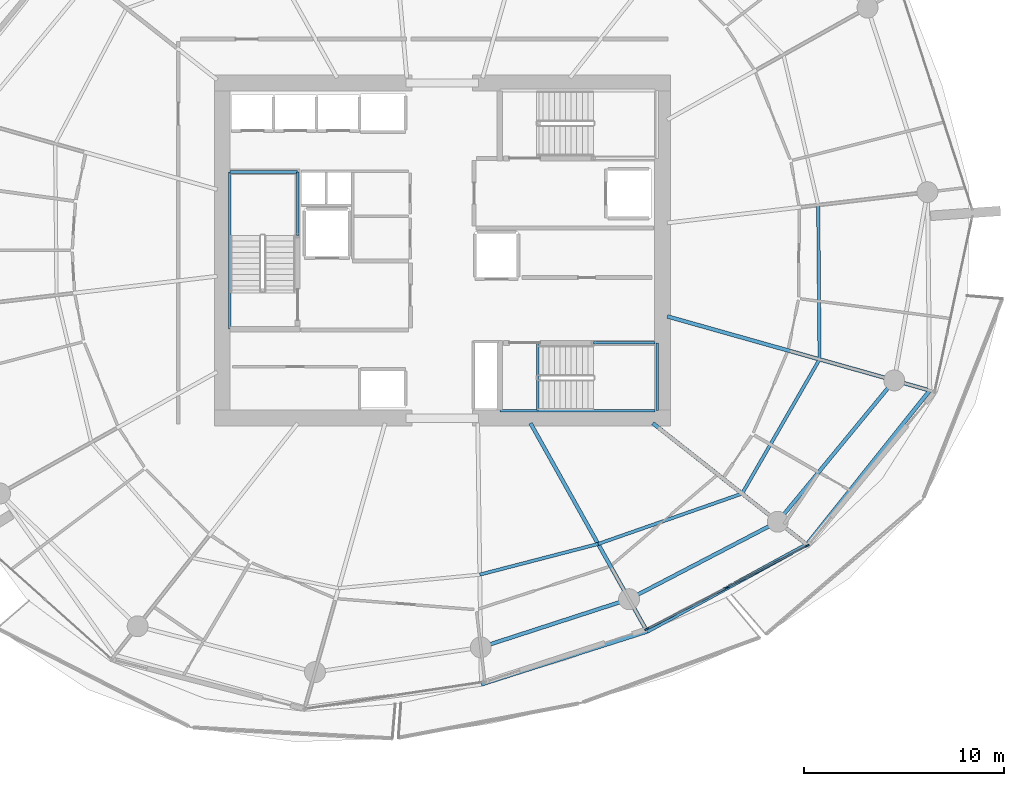
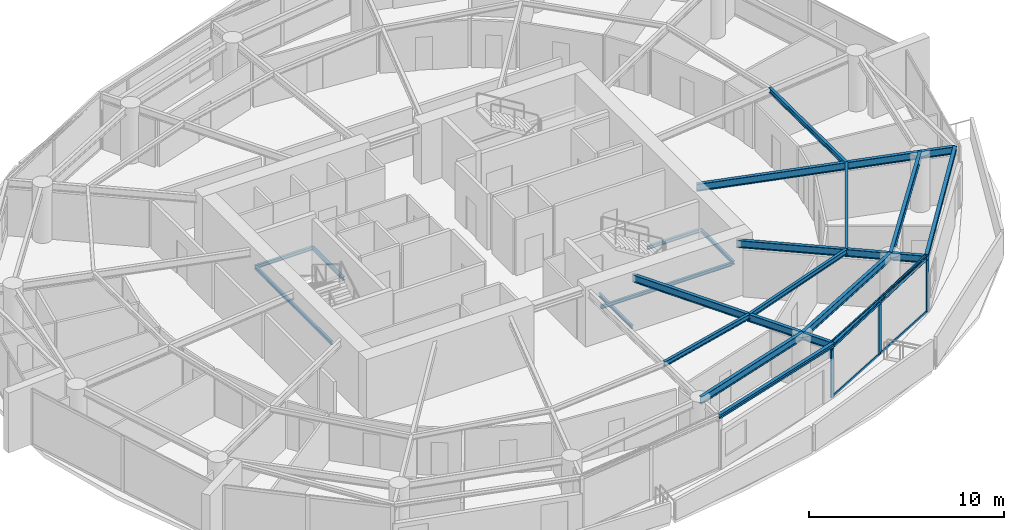
# One storey, part 6 of 20: 20 beams, 7 members, 1 element without a shape of its own.
"""IFC4 building model written with IfcOpenShell, lengths in metres."""

from ifc_helpers import new_model, si_unit, direction, frame, origin, origin_2d, place, context, subcontext, project, spatial, rectangle, i_section, extrude, material, layer, layer_set, material_profile, profile_set, type_object, element, aggregate, save


model = new_model("IFC4")

# Units and contexts
model_context = context("Model", 3, precision=1e-05, world=origin(), true_north=direction((0.0, 1.0)))
body_context = subcontext(model_context, "Body", "Model", "MODEL_VIEW")
ifc_project = project(units=[si_unit("LENGTHUNIT", "METRE"), si_unit("AREAUNIT", "SQUARE_METRE"), si_unit("VOLUMEUNIT", "CUBIC_METRE"), si_unit("PLANEANGLEUNIT", "RADIAN"), si_unit("MASSUNIT", "GRAM", prefix="KILO")], contexts=[model_context])

# Site, building, storey
site_placement = place(None, origin())
site = spatial("IfcSite", under=ifc_project, at=site_placement, CompositionType="ELEMENT")
building_placement = place(site_placement, origin())
building = spatial("IfcBuilding", under=site, at=building_placement, Name="Kazma Halo Residences", CompositionType="ELEMENT")
storey_placement = place(building_placement, frame((0.0, 0.0, 131.550048828125)))
storey = spatial("IfcBuildingStorey", under=building, at=storey_placement, Name="L32", CompositionType="ELEMENT", Elevation=131.550048828125)

# Beams
ifc_material_1 = material(Name="Steel S355", Category="steel")
ifc_material_profile_1 = material_profile(ifc_material_1, i_section(OverallWidth=0.201904296875, OverallDepth=0.2470703125, WebThickness=0.00732421875, FlangeThickness=0.010986328125, FilletRadius=0.011962890625, at=origin_2d()), Name="W250x49.1")
ifc_profile_set_1 = profile_set([ifc_material_profile_1], Name="Steel S355")
beam_type_1 = type_object("IfcBeamType", Name="BM-BAL-CANT", PredefinedType="BEAM", material=ifc_profile_set_1)
beam_1_placement = place(storey_placement, frame((50.37841796875, 20.269287109375, 3.37646484375), z_axis=(0.952724066304, 0.303836886315, 0.0), x_axis=(-0.303836886315, 0.952724066304, 0.0)))
element("IfcBeam", 1, at=beam_1_placement, inside=storey, type_object=beam_type_1, Name="L32 wave-balcony tie beam 12", PredefinedType="BEAM", context=body_context, shape_type="SweptSolid", body=[
    extrude(i_section(OverallWidth=0.201904296875, OverallDepth=0.2470703125, WebThickness=0.00732421875, FlangeThickness=0.010986328125, FilletRadius=0.011962890625, at=origin_2d()), origin(), (0.0, 0.0, 1.0), 8.719970703125),
])
beam_2_placement = place(storey_placement, frame((58.68603515625, 22.918701171875, 3.37646484375), z_axis=(0.878572913315, 0.477608245312, 0.0), x_axis=(-0.477608245312, 0.878572913315, 0.0)))
element("IfcBeam", 2, at=beam_2_placement, inside=storey, type_object=beam_type_1, Name="L32 wave-balcony tie beam 13", PredefinedType="BEAM", context=body_context, shape_type="SweptSolid", body=[
    extrude(i_section(OverallWidth=0.201904296875, OverallDepth=0.2470703125, WebThickness=0.00732421875, FlangeThickness=0.010986328125, FilletRadius=0.011962890625, at=origin_2d()), origin(), (0.0, 0.0, 1.0), 9.107177734375),
])
beam_3_placement = place(storey_placement, frame((66.687255859375, 27.268310546875, 3.37646484375), z_axis=(0.623742400336, 0.781629975131, 0.0), x_axis=(-0.781629975131, 0.623742400336, 0.0)))
element("IfcBeam", 3, at=beam_3_placement, inside=storey, type_object=beam_type_1, Name="L32 wave-balcony tie beam 14", PredefinedType="BEAM", context=body_context, shape_type="SweptSolid", body=[
    extrude(i_section(OverallWidth=0.201904296875, OverallDepth=0.2470703125, WebThickness=0.00732421875, FlangeThickness=0.010986328125, FilletRadius=0.011962890625, at=origin_2d()), origin(), (0.0, 0.0, 1.0), 9.880859375),
])
ifc_material_profile_2 = material_profile(ifc_material_1, i_section(OverallWidth=0.18994140625, OverallDepth=0.45703125, WebThickness=0.009033203125, FlangeThickness=0.014404296875, FilletRadius=0.01611328125, at=origin_2d()), Name="W460x74")
ifc_profile_set_2 = profile_set([ifc_material_profile_2], Name="Steel S355")
beam_type_2 = type_object("IfcBeamType", Name="BM-RAD-W460", PredefinedType="BEAM", material=ifc_profile_set_2)
beam_4_placement = place(storey_placement, frame((52.84423828125, 33.35009765625, 3.271484375), z_axis=(0.488617048735, -0.872498355119, 0.0), x_axis=(0.872498355119, 0.488617048735, 0.0)))
element("IfcBeam", 4, at=beam_4_placement, inside=storey, type_object=beam_type_2, Name="L32 radial floor beam 13", PredefinedType="BEAM", context=body_context, shape_type="SweptSolid", body=[
    extrude(i_section(OverallWidth=0.18994140625, OverallDepth=0.45703125, WebThickness=0.009033203125, FlangeThickness=0.014404296875, FilletRadius=0.01611328125, at=origin_2d()), origin(), (0.0, 0.0, 1.0), 11.955810546875),
])
beam_5_placement = place(storey_placement, frame((58.972412109375, 33.35009765625, 3.271484375), z_axis=(0.785322142498, -0.619087338347, 0.0), x_axis=(0.619087338347, 0.785322142498, 0.0)))
element("IfcBeam", 5, at=beam_5_placement, inside=storey, type_object=beam_type_2, Name="L32 radial floor beam 14", PredefinedType="BEAM", context=body_context, shape_type="SweptSolid", body=[
    extrude(i_section(OverallWidth=0.18994140625, OverallDepth=0.45703125, WebThickness=0.009033203125, FlangeThickness=0.014404296875, FilletRadius=0.01611328125, at=origin_2d()), origin(), (0.0, 0.0, 1.0), 9.82373046875),
])
beam_6_placement = place(storey_placement, frame((59.699951171875, 38.7001953125, 3.271484375), z_axis=(0.962456259321, -0.271436823024, 0.0), x_axis=(0.271436823024, 0.962456259321, 0.0)))
element("IfcBeam", 6, at=beam_6_placement, inside=storey, type_object=beam_type_2, Name="L32 radial floor beam 15", PredefinedType="BEAM", context=body_context, shape_type="SweptSolid", body=[
    extrude(i_section(OverallWidth=0.18994140625, OverallDepth=0.45703125, WebThickness=0.009033203125, FlangeThickness=0.014404296875, FilletRadius=0.01611328125, at=origin_2d()), origin(), (0.0, 0.0, 1.0), 13.663330078125),
])
ifc_material_profile_3 = material_profile(ifc_material_1, i_section(OverallWidth=0.1650390625, OverallDepth=0.31005859375, WebThickness=0.005859375, FlangeThickness=0.009765625, FilletRadius=0.011962890625, at=origin_2d()), Name="W310x38.7")
ifc_profile_set_3 = profile_set([ifc_material_profile_3], Name="Steel S355")
beam_type_3 = type_object("IfcBeamType", Name="BM-SEC-W310B", PredefinedType="JOIST", material=ifc_profile_set_3)
beam_7_placement = place(storey_placement, frame((50.303466796875, 25.76318359375, 3.344970703125), z_axis=(0.968017337658, 0.250883307524, 0.0), x_axis=(-0.250883307524, 0.968017337658, 0.0)))
element("IfcBeam", 7, at=beam_7_placement, inside=storey, type_object=beam_type_3, Name="L32 circumferential floor joist 12", PredefinedType="JOIST", context=body_context, shape_type="SweptSolid", body=[
    extrude(i_section(OverallWidth=0.1650390625, OverallDepth=0.31005859375, WebThickness=0.005859375, FlangeThickness=0.009765625, FilletRadius=0.011962890625, at=origin_2d()), origin(), (0.0, 0.0, 1.0), 6.124755859375),
])
beam_8_placement = place(storey_placement, frame((56.232421875, 27.2998046875, 3.344970703125), z_axis=(0.943956421223, 0.330070105935, 0.0), x_axis=(-0.330070105935, 0.943956421223, 0.0)))
element("IfcBeam", 8, at=beam_8_placement, inside=storey, type_object=beam_type_3, Name="L32 circumferential floor joist 13", PredefinedType="JOIST", context=body_context, shape_type="SweptSolid", body=[
    extrude(i_section(OverallWidth=0.1650390625, OverallDepth=0.31005859375, WebThickness=0.005859375, FlangeThickness=0.009765625, FilletRadius=0.011962890625, at=origin_2d()), origin(), (0.0, 0.0, 1.0), 7.642822265625),
])
beam_9_placement = place(storey_placement, frame((63.447021484375, 29.822509765625, 3.344970703125), z_axis=(0.499666203496, 0.866218035533, 0.0), x_axis=(-0.866218035533, 0.499666203496, 0.0)))
element("IfcBeam", 9, at=beam_9_placement, inside=storey, type_object=beam_type_3, Name="L32 circumferential floor joist 14", PredefinedType="JOIST", context=body_context, shape_type="SweptSolid", body=[
    extrude(i_section(OverallWidth=0.1650390625, OverallDepth=0.31005859375, WebThickness=0.005859375, FlangeThickness=0.009765625, FilletRadius=0.011962890625, at=origin_2d()), origin(), (0.0, 0.0, 1.0), 7.765380859375),
])
beam_10_placement = place(storey_placement, frame((67.3271484375, 36.549072265625, 3.344970703125), z_axis=(-0.008779348348, 0.999961460779, 0.0), x_axis=(-0.999961460779, -0.008779348348, 0.0)))
element("IfcBeam", 10, at=beam_10_placement, inside=storey, type_object=beam_type_3, Name="L32 circumferential floor joist 15", PredefinedType="JOIST", context=body_context, shape_type="SweptSolid", body=[
    extrude(i_section(OverallWidth=0.1650390625, OverallDepth=0.31005859375, WebThickness=0.005859375, FlangeThickness=0.009765625, FilletRadius=0.011962890625, at=origin_2d()), origin(), (0.0, 0.0, 1.0), 7.730712890625),
])
ifc_material_profile_4 = material_profile(ifc_material_1, i_section(OverallWidth=0.18994140625, OverallDepth=0.45703125, WebThickness=0.009033203125, FlangeThickness=0.014404296875, FilletRadius=0.01611328125, at=origin_2d()), Name="W460x74")
ifc_profile_set_4 = profile_set([ifc_material_profile_4], Name="Steel S355")
beam_type_4 = type_object("IfcBeamType", Name="BM-SPN-W460", PredefinedType="BEAM", material=ifc_profile_set_4)
beam_11_placement = place(storey_placement, frame((50.35302734375, 22.118896484375, 3.271484375), z_axis=(0.95105634578, 0.309017519167, 0.0), x_axis=(-0.309017519167, 0.95105634578, 0.0)))
element("IfcBeam", 11, at=beam_11_placement, inside=storey, type_object=beam_type_4, Name="L32 perimeter ring beam 12", PredefinedType="BEAM", context=body_context, shape_type="SweptSolid", body=[
    extrude(i_section(OverallWidth=0.18994140625, OverallDepth=0.45703125, WebThickness=0.009033203125, FlangeThickness=0.014404296875, FilletRadius=0.01611328125, at=origin_2d()), origin(), (0.0, 0.0, 1.0), 7.811279296875),
])
beam_12_placement = place(storey_placement, frame((57.781982421875, 24.53271484375, 3.271484375), z_axis=(0.886943099021, 0.461878706046, 0.0), x_axis=(-0.461878706046, 0.886943099021, 0.0)))
element("IfcBeam", 12, at=beam_12_placement, inside=storey, type_object=beam_type_4, Name="L32 perimeter ring beam 13", PredefinedType="BEAM", context=body_context, shape_type="SweptSolid", body=[
    extrude(i_section(OverallWidth=0.18994140625, OverallDepth=0.45703125, WebThickness=0.009033203125, FlangeThickness=0.014404296875, FilletRadius=0.01611328125, at=origin_2d()), origin(), (0.0, 0.0, 1.0), 8.40234375),
])
beam_13_placement = place(storey_placement, frame((65.234375, 28.41357421875, 3.271484375), z_axis=(0.636018723515, 0.771673624882, 0.0), x_axis=(-0.771673624882, 0.636018723515, 0.0)))
element("IfcBeam", 13, at=beam_13_placement, inside=storey, type_object=beam_type_4, Name="L32 perimeter ring beam 14", PredefinedType="BEAM", context=body_context, shape_type="SweptSolid", body=[
    extrude(i_section(OverallWidth=0.18994140625, OverallDepth=0.45703125, WebThickness=0.009033203125, FlangeThickness=0.014404296875, FilletRadius=0.01611328125, at=origin_2d()), origin(), (0.0, 0.0, 1.0), 9.175048828125),
])
ifc_material_profile_5 = material_profile(ifc_material_1, i_section(OverallWidth=0.133056640625, OverallDepth=0.20703125, WebThickness=0.005859375, FlangeThickness=0.00830078125, FilletRadius=0.010009765625, at=origin_2d()), Name="W200x26.6")
ifc_profile_set_5 = profile_set([ifc_material_profile_5], Name="Steel S355")
beam_type_5 = type_object("IfcBeamType", Name="BM-TRIM-W200", PredefinedType="BEAM", material=ifc_profile_set_5)
beam_14_placement = place(storey_placement, frame((53.199951171875, 34.0, -0.360107421875), z_axis=(0.0, 1.0, 0.0), x_axis=(-1.0, 0.0, 0.0)))
element("IfcBeam", 14, at=beam_14_placement, inside=storey, type_object=beam_type_5, Name="L32 ST-03 floor landing support beam", PredefinedType="BEAM", context=body_context, shape_type="SweptSolid", body=[
    extrude(i_section(OverallWidth=0.133056640625, OverallDepth=0.20703125, WebThickness=0.005859375, FlangeThickness=0.00830078125, FilletRadius=0.010009765625, at=origin_2d()), origin(), (0.0, 0.0, 1.0), 3.3798828125),
])
beam_15_placement = place(storey_placement, frame((37.780029296875, 38.06005859375, 1.570068359375), z_axis=(0.0, 1.0, 0.0), x_axis=(-1.0, 0.0, 0.0)))
element("IfcBeam", 15, at=beam_15_placement, inside=storey, type_object=beam_type_5, Name="L32 ST-01 landing west wall ledger", PredefinedType="BEAM", context=body_context, shape_type="SweptSolid", body=[
    extrude(i_section(OverallWidth=0.133056640625, OverallDepth=0.20703125, WebThickness=0.005859375, FlangeThickness=0.00830078125, FilletRadius=0.010009765625, at=origin_2d()), origin(), (0.0, 0.0, 1.0), 7.8798828125),
])
beam_16_placement = place(storey_placement, frame((41.179931640625, 42.75, 1.570068359375), z_axis=(0.0, 1.0, 0.0), x_axis=(-1.0, 0.0, 0.0)))
element("IfcBeam", 16, at=beam_16_placement, inside=storey, type_object=beam_type_5, Name="L32 ST-01 landing east wall ledger", PredefinedType="BEAM", context=body_context, shape_type="SweptSolid", body=[
    extrude(i_section(OverallWidth=0.133056640625, OverallDepth=0.20703125, WebThickness=0.005859375, FlangeThickness=0.00830078125, FilletRadius=0.010009765625, at=origin_2d()), origin(), (0.0, 0.0, 1.0), 3.18994140625),
])
beam_17_placement = place(storey_placement, frame((37.780029296875, 45.93994140625, 1.570068359375), z_axis=(1.0, 0.0, 0.0), x_axis=(0.0, 1.0, 0.0)))
element("IfcBeam", 17, at=beam_17_placement, inside=storey, type_object=beam_type_5, Name="L32 ST-01 landing end wall ledger", PredefinedType="BEAM", context=body_context, shape_type="SweptSolid", body=[
    extrude(i_section(OverallWidth=0.133056640625, OverallDepth=0.20703125, WebThickness=0.005859375, FlangeThickness=0.00830078125, FilletRadius=0.010009765625, at=origin_2d()), origin(), (0.0, 0.0, 1.0), 3.39990234375),
])
beam_18_placement = place(storey_placement, frame((51.31005859375, 33.97998046875, 1.570068359375), z_axis=(1.0, 0.0, 0.0), x_axis=(0.0, 1.0, 0.0)))
element("IfcBeam", 18, at=beam_18_placement, inside=storey, type_object=beam_type_5, Name="L32 ST-03 landing south wall ledger", PredefinedType="BEAM", context=body_context, shape_type="SweptSolid", body=[
    extrude(i_section(OverallWidth=0.133056640625, OverallDepth=0.20703125, WebThickness=0.005859375, FlangeThickness=0.00830078125, FilletRadius=0.010009765625, at=origin_2d()), origin(), (0.0, 0.0, 1.0), 7.760009765625),
])
beam_19_placement = place(storey_placement, frame((56.0, 37.3798828125, 1.570068359375), z_axis=(1.0, 0.0, 0.0), x_axis=(0.0, 1.0, 0.0)))
element("IfcBeam", 19, at=beam_19_placement, inside=storey, type_object=beam_type_5, Name="L32 ST-03 landing north wall ledger", PredefinedType="BEAM", context=body_context, shape_type="SweptSolid", body=[
    extrude(i_section(OverallWidth=0.133056640625, OverallDepth=0.20703125, WebThickness=0.005859375, FlangeThickness=0.00830078125, FilletRadius=0.010009765625, at=origin_2d()), origin(), (0.0, 0.0, 1.0), 3.070068359375),
])
beam_20_placement = place(storey_placement, frame((59.18994140625, 33.97998046875, 1.570068359375), z_axis=(0.0, 1.0, 0.0), x_axis=(-1.0, 0.0, 0.0)))
element("IfcBeam", 20, at=beam_20_placement, inside=storey, type_object=beam_type_5, Name="L32 ST-03 landing end wall ledger", PredefinedType="BEAM", context=body_context, shape_type="SweptSolid", body=[
    extrude(i_section(OverallWidth=0.133056640625, OverallDepth=0.20703125, WebThickness=0.005859375, FlangeThickness=0.00830078125, FilletRadius=0.010009765625, at=origin_2d()), origin(), (0.0, 0.0, 1.0), 3.39990234375),
])

# Curtain wall, members
ifc_material_2 = material(Name="Aluminium AW-6063 T6 and Triple-Silver Low-E Glass", Category="aluminium")
ifc_layer = layer(ifc_material_2, 0.219970703125)
ifc_layer_set = layer_set([ifc_layer], Name="Aluminium AW-6063 T6 and Triple-Silver Low-E Glass")
curtain_wall_type = type_object("IfcCurtainWallType", Name="CW-SYS-4", PredefinedType="NOTDEFINED", material=ifc_layer_set)
curtain_wall_placement = place(storey_placement, origin())
curtain_wall = element("IfcCurtainWall", 21, at=curtain_wall_placement, inside=storey, type_object=curtain_wall_type, Name="L32 unitised curtain wall B13", PredefinedType="NOTDEFINED")
ifc_material_3 = material(Name="Aluminium AW-6063 T6", Category="aluminium")
ifc_material_profile_6 = material_profile(ifc_material_3, rectangle(XDim=0.074951171875, YDim=0.219970703125, at=origin_2d()), Name="CWM-75x220")
ifc_profile_set_6 = profile_set([ifc_material_profile_6], Name="Aluminium AW-6063 T6")
member_type_1 = type_object("IfcMemberType", Name="CW-SYS-4-MUL", PredefinedType="MULLION", material=ifc_profile_set_6)
member_1_placement = place(storey_placement, frame((58.66552734375, 23.0322265625, 0.0), z_axis=(0.0, 0.0, 1.0), x_axis=(-0.460837484552, 0.887484542306, 0.0)))
member_1 = element("IfcMember", 22, at=member_1_placement, type_object=member_type_1, Name="CWS-4 mullion 1", PredefinedType="MULLION", context=body_context, shape_type="SweptSolid", body=[
    extrude(rectangle(XDim=0.074951171875, YDim=0.219970703125, at=origin_2d()), origin(), (0.0, 0.0, 1.0), 3.5),
])
member_2_placement = place(storey_placement, frame((62.686767578125, 25.120361328125, 0.0), z_axis=(0.0, 0.0, 1.0), x_axis=(-0.460837484552, 0.887484542306, 0.0)))
member_2 = element("IfcMember", 23, at=member_2_placement, type_object=member_type_1, Name="CWS-4 mullion 2", PredefinedType="MULLION", context=body_context, shape_type="SweptSolid", body=[
    extrude(rectangle(XDim=0.074951171875, YDim=0.219970703125, at=origin_2d()), origin(), (0.0, 0.0, 1.0), 3.5),
])
member_3_placement = place(storey_placement, frame((66.7080078125, 27.208251953125, 0.0), z_axis=(0.0, 0.0, 1.0), x_axis=(-0.460837484552, 0.887484542306, 0.0)))
member_3 = element("IfcMember", 24, at=member_3_placement, type_object=member_type_1, Name="CWS-4 mullion 3", PredefinedType="MULLION", context=body_context, shape_type="SweptSolid", body=[
    extrude(rectangle(XDim=0.074951171875, YDim=0.219970703125, at=origin_2d()), origin(), (0.0, 0.0, 1.0), 3.5),
])
ifc_material_profile_7 = material_profile(ifc_material_3, rectangle(XDim=0.074951171875, YDim=0.1650390625, at=origin_2d()), Name="CWT-75x165")
ifc_profile_set_7 = profile_set([ifc_material_profile_7], Name="Aluminium AW-6063 T6")
member_type_2 = type_object("IfcMemberType", Name="CW-SYS-4-TRN", PredefinedType="USERDEFINED", material=ifc_profile_set_7)
member_4_placement = place(storey_placement, frame((58.69873046875, 23.049560546875, 0.037353515625), z_axis=(0.887484872803, 0.460836848077, 0.0), x_axis=(-0.460836848077, 0.887484872803, 0.0)))
member_4 = element("IfcMember", 25, at=member_4_placement, type_object=member_type_2, Name="CWS-4 transom 1.1", ObjectType="TRANSOM", PredefinedType="USERDEFINED", context=body_context, shape_type="SweptSolid", body=[
    extrude(rectangle(XDim=0.074951171875, YDim=0.1650390625, at=origin_2d()), origin(), (0.0, 0.0, 1.0), 4.4560546875),
])
member_5_placement = place(storey_placement, frame((58.69873046875, 23.049560546875, 3.46240234375), z_axis=(0.887484872803, 0.460836848077, 0.0), x_axis=(-0.460836848077, 0.887484872803, 0.0)))
member_5 = element("IfcMember", 26, at=member_5_placement, type_object=member_type_2, Name="CWS-4 transom 1.2", ObjectType="TRANSOM", PredefinedType="USERDEFINED", context=body_context, shape_type="SweptSolid", body=[
    extrude(rectangle(XDim=0.074951171875, YDim=0.1650390625, at=origin_2d()), origin(), (0.0, 0.0, 1.0), 4.4560546875),
])
member_6_placement = place(storey_placement, frame((62.719970703125, 25.137451171875, 0.037353515625), z_axis=(0.887484872803, 0.460836848077, 0.0), x_axis=(-0.460836848077, 0.887484872803, 0.0)))
member_6 = element("IfcMember", 27, at=member_6_placement, type_object=member_type_2, Name="CWS-4 transom 2.1", ObjectType="TRANSOM", PredefinedType="USERDEFINED", context=body_context, shape_type="SweptSolid", body=[
    extrude(rectangle(XDim=0.074951171875, YDim=0.1650390625, at=origin_2d()), origin(), (0.0, 0.0, 1.0), 4.4560546875),
])
member_7_placement = place(storey_placement, frame((62.719970703125, 25.137451171875, 3.46240234375), z_axis=(0.887484872803, 0.460836848077, 0.0), x_axis=(-0.460836848077, 0.887484872803, 0.0)))
member_7 = element("IfcMember", 28, at=member_7_placement, type_object=member_type_2, Name="CWS-4 transom 2.2", ObjectType="TRANSOM", PredefinedType="USERDEFINED", context=body_context, shape_type="SweptSolid", body=[
    extrude(rectangle(XDim=0.074951171875, YDim=0.1650390625, at=origin_2d()), origin(), (0.0, 0.0, 1.0), 4.4560546875),
])
aggregate(curtain_wall, [member_1, member_2, member_3, member_4, member_5, member_6, member_7])

save(model, "model.ifc")
